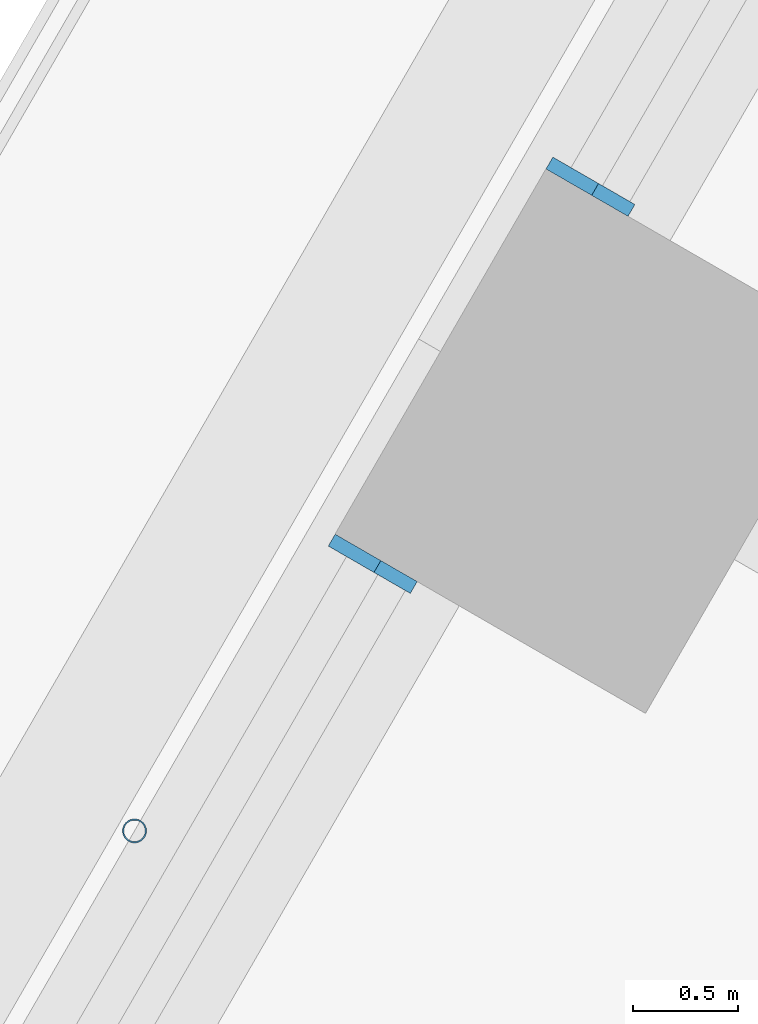
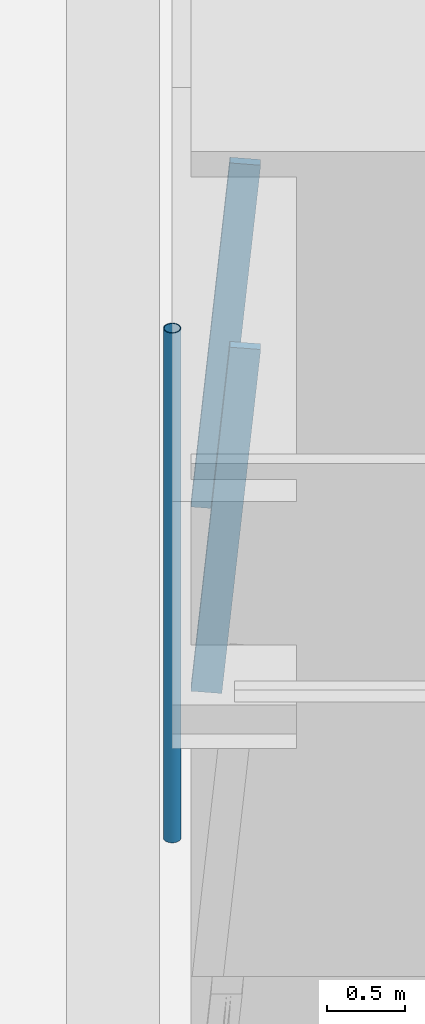
# One storey, part 7 of 23: 3 members, 2 elements without a shape of their own.
"""IFC4 building model written with IfcOpenShell, lengths in metres."""

from ifc_helpers import new_model, si_unit, direction, frame, origin, origin_2d, place, context, subcontext, project, spatial, rectangle, hollow_circle, extrude, material, material_profile, profile_set, type_object, element, aggregate, save


model = new_model("IFC4")

# Units and contexts
model_context = context("Model", 3, precision=1e-05, world=origin(), true_north=direction((0.0, 1.0)))
body_context = subcontext(model_context, "Body", "Model", "MODEL_VIEW")
ifc_project = project(units=[si_unit("LENGTHUNIT", "METRE"), si_unit("AREAUNIT", "SQUARE_METRE"), si_unit("VOLUMEUNIT", "CUBIC_METRE"), si_unit("PLANEANGLEUNIT", "RADIAN"), si_unit("MASSUNIT", "GRAM", prefix="KILO")], contexts=[model_context])

# Site, building, storey
site_placement = place(None, origin())
site = spatial("IfcSite", under=ifc_project, at=site_placement, CompositionType="ELEMENT")
building_placement = place(site_placement, origin())
building = spatial("IfcBuilding", under=site, at=building_placement, Name="Tarfa Lantern Tower", CompositionType="ELEMENT")
storey_placement = place(building_placement, frame((0.0, 0.0, 82.300048828125)))
storey = spatial("IfcBuildingStorey", under=building, at=storey_placement, Name="L18", CompositionType="ELEMENT", Elevation=82.300048828125)

# Curtain wall, member
ifc_material_1 = material(Name="Aluminium framed curtain wall", Category="aluminium")
curtain_wall_type = type_object("IfcCurtainWallType", Name="CW1 CANTED GLAZING LOW ZONE 2700", PredefinedType="USERDEFINED", material=ifc_material_1)
curtain_wall_1_placement = place(storey_placement, origin())
curtain_wall_1 = element("IfcCurtainWall", 1, at=curtain_wall_1_placement, inside=storey, type_object=curtain_wall_type, Name="CW1 NW L18", ObjectType="CURTAIN WALL", PredefinedType="USERDEFINED")
ifc_material_2 = material(Name="Aluminium mullion", Category="aluminium")
ifc_material_profile_1 = material_profile(ifc_material_2, rectangle(XDim=0.06494140625, YDim=0.199951171875, at=origin_2d()), Name="AL MULLION 65x200")
ifc_profile_set_1 = profile_set([ifc_material_profile_1], Name="Aluminium mullion")
member_type_1 = type_object("IfcMemberType", Name="CWM1 MULLION 65x200", PredefinedType="MULLION", material=ifc_profile_set_1)
member_1_placement = place(storey_placement, frame((-31.536376953125, 13.177490234375, 0.0), z_axis=(0.07986442134, -0.046099868913, 0.99573916077), x_axis=(0.499919672301, 0.866071776036, 0.0)))
member_1 = element("IfcMember", 2, at=member_1_placement, type_object=member_type_1, Name="CW1 mullion 2", PredefinedType="MULLION", context=body_context, shape_type="SweptSolid", body=[
    extrude(rectangle(XDim=0.06494140625, YDim=0.199951171875, at=origin_2d()), origin(), (0.0, 0.0, 1.0), 2.71142578125),
])
aggregate(curtain_wall_1, [member_1])

curtain_wall_2_placement = place(storey_placement, origin())
curtain_wall_2 = element("IfcCurtainWall", 3, at=curtain_wall_2_placement, inside=storey, type_object=curtain_wall_type, Name="CW1 NW L18", ObjectType="CURTAIN WALL", PredefinedType="USERDEFINED")
member_2_placement = place(storey_placement, frame((-32.56884765625, 11.38916015625, 0.0), z_axis=(0.07986442134, -0.046099868913, 0.99573916077), x_axis=(0.499919672301, 0.866071776036, 0.0)))
member_2 = element("IfcMember", 4, at=member_2_placement, type_object=member_type_1, Name="CW1 mullion 1", PredefinedType="MULLION", context=body_context, shape_type="SweptSolid", body=[
    extrude(rectangle(XDim=0.06494140625, YDim=0.199951171875, at=origin_2d()), origin(), (0.0, 0.0, 1.0), 2.71142578125),
])
aggregate(curtain_wall_2, [member_2])

# Member
ifc_material_3 = material(Name="Steel S355", Category="steel")
ifc_material_profile_2 = material_profile(ifc_material_3, hollow_circle(Radius=0.05712890625, WallThickness=0.00634765625, at=origin_2d()), Name="CHS114.3x6.3")
ifc_profile_set_2 = profile_set([ifc_material_profile_2], Name="Steel S355")
member_type_2 = type_object("IfcMemberType", Name="TR1 GREEN WALL TRELLIS CHS114.3x6.3", PredefinedType="USERDEFINED", material=ifc_profile_set_2)
member_3_placement = place(storey_placement, frame((-33.59033203125, 10.06005859375, 0.0), z_axis=(0.0, 0.0, 1.0), x_axis=(1.0, 0.0, 0.0)))
element("IfcMember", 5, at=member_3_placement, inside=storey, type_object=member_type_2, Name="Trellis post NW 2", ObjectType="TRELLIS", PredefinedType="USERDEFINED", context=body_context, shape_type="SweptSolid", body=[
    extrude(hollow_circle(Radius=0.05712890625, WallThickness=0.00634765625, at=origin_2d()), origin(), (0.0, 0.0, 1.0), 4.0),
])

save(model, "model.ifc")
